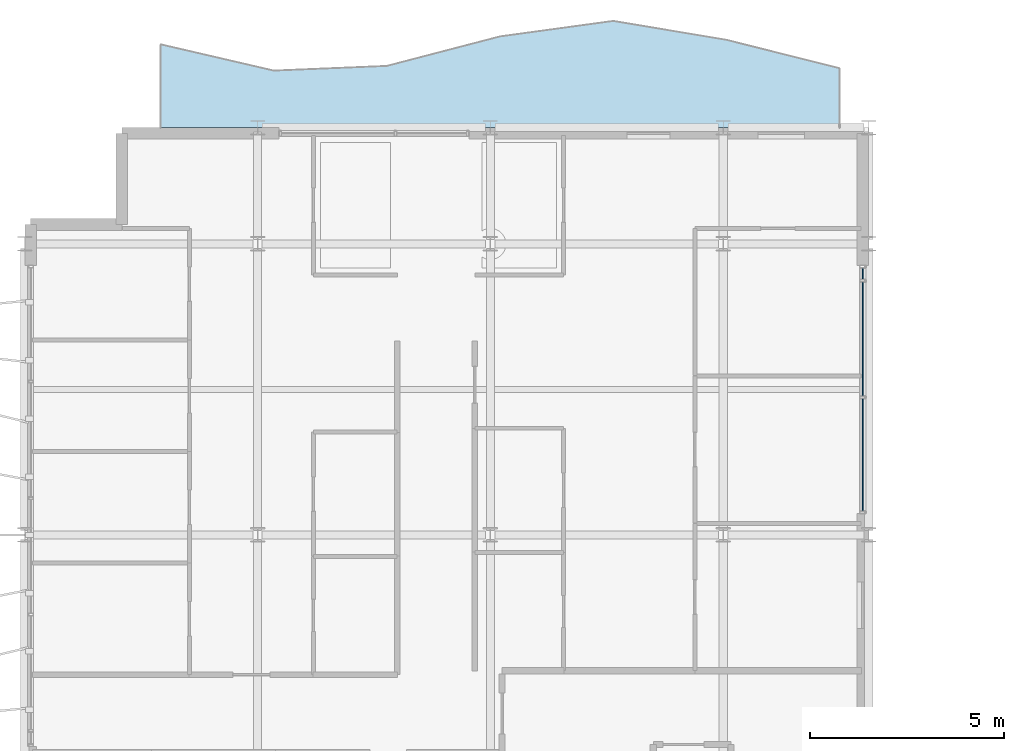
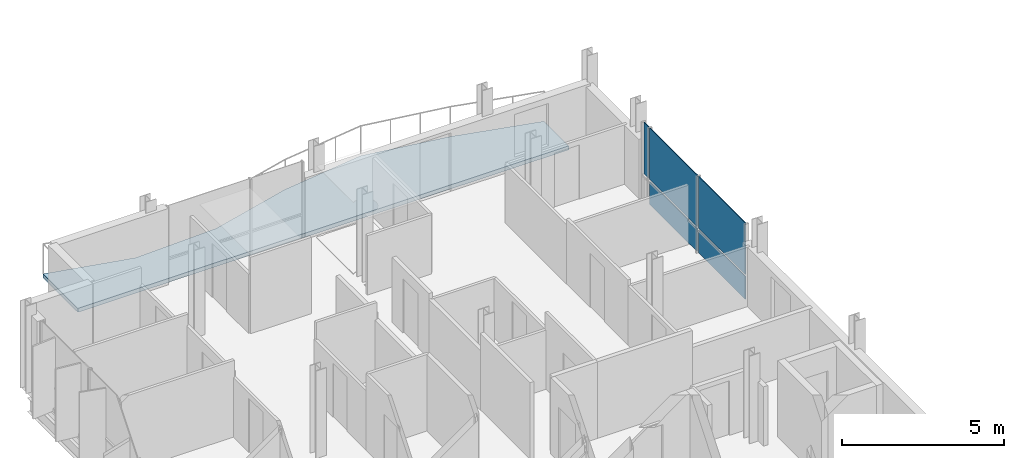
# One storey, part 17 of 30: 5 plates, 1 slab, 1 element without a shape of its own.
"""IFC4 building model written with IfcOpenShell, lengths in metres."""

from ifc_helpers import new_model, si_unit, direction, frame, origin, origin_2d, place, context, subcontext, project, spatial, polyline, rectangle, outline, extrude, material, layer, layer_set, type_object, element, aggregate, save


model = new_model("IFC4")

# Units and contexts
model_context = context("Model", 3, precision=1e-05, world=origin(), true_north=direction((0.0, 1.0)))
body_context = subcontext(model_context, "Body", "Model", "MODEL_VIEW")
ifc_project = project(units=[si_unit("LENGTHUNIT", "METRE"), si_unit("AREAUNIT", "SQUARE_METRE"), si_unit("VOLUMEUNIT", "CUBIC_METRE"), si_unit("PLANEANGLEUNIT", "RADIAN"), si_unit("MASSUNIT", "GRAM", prefix="KILO")], contexts=[model_context])

# Site, building, storey
site_placement = place(None, origin())
site = spatial("IfcSite", under=ifc_project, at=site_placement, CompositionType="ELEMENT")
building_placement = place(site_placement, origin())
building = spatial("IfcBuilding", under=site, at=building_placement, Name="Brevholm Reach", CompositionType="ELEMENT")
storey_placement = place(building_placement, frame((0.0, 0.0, 211.10009765625)))
storey = spatial("IfcBuildingStorey", under=building, at=storey_placement, Name="L64", CompositionType="ELEMENT", Elevation=211.10009765625)

# Curtain wall, plates
ifc_material_1 = material(Name="Dark Anodised Aluminium 6063-T6 and Solar-Control Glass", Category="aluminium")
ifc_layer_1 = layer(ifc_material_1, 0.1650390625)
ifc_layer_set_1 = layer_set([ifc_layer_1], Name="Dark Anodised Aluminium 6063-T6 and Solar-Control Glass")
curtain_wall_type = type_object("IfcCurtainWallType", Name="CW-04", PredefinedType="NOTDEFINED", material=ifc_layer_set_1)
curtain_wall_placement = place(storey_placement, origin())
curtain_wall = element("IfcCurtainWall", 1, at=curtain_wall_placement, inside=storey, type_object=curtain_wall_type, Name="L64 Curtain Wall CW-04", PredefinedType="NOTDEFINED")
ifc_material_2 = material(Name="Dark Solar-Control Double-Glazed IGU Glass", Category="glass")
ifc_layer_2 = layer(ifc_material_2, 0.028076171875)
ifc_layer_set_2 = layer_set([ifc_layer_2], Name="Dark Solar-Control Double-Glazed IGU Glass")
plate_type = type_object("IfcPlateType", Name="CWP-GLZ-28", PredefinedType="CURTAIN_PANEL", material=ifc_layer_set_2)
plate_1_placement = place(storey_placement, frame((21.60009765625, 18.0673828125, 0.0), z_axis=(0.0, 0.0, 1.0), x_axis=(0.0, 1.0, 0.0)))
plate_1 = element("IfcPlate", 2, at=plate_1_placement, type_object=plate_type, Name="CP-01 Glazing Panel 1.1", PredefinedType="CURTAIN_PANEL", context=body_context, shape_type="SweptSolid", body=[
    extrude(rectangle(XDim=2.89501953125, YDim=0.028076171875, at=origin_2d()), origin(), (0.0, 0.0, 1.0), 0.864990234375),
])
plate_2_placement = place(storey_placement, frame((21.60009765625, 18.0673828125, 0.93505859375), z_axis=(0.0, 0.0, 1.0), x_axis=(0.0, 1.0, 0.0)))
plate_2 = element("IfcPlate", 3, at=plate_2_placement, type_object=plate_type, Name="CP-01 Glazing Panel 1.2", PredefinedType="CURTAIN_PANEL", context=body_context, shape_type="SweptSolid", body=[
    extrude(rectangle(XDim=2.89501953125, YDim=0.028076171875, at=origin_2d()), origin(), (0.0, 0.0, 1.0), 1.945068359375),
])
plate_3_placement = place(storey_placement, frame((21.60009765625, 21.050048828125, 0.0), z_axis=(0.0, 0.0, 1.0), x_axis=(0.0, 1.0, 0.0)))
plate_3 = element("IfcPlate", 4, at=plate_3_placement, type_object=plate_type, Name="CP-01 Glazing Panel 2.1", PredefinedType="CURTAIN_PANEL", context=body_context, shape_type="SweptSolid", body=[
    extrude(rectangle(XDim=2.929931640625, YDim=0.028076171875, at=origin_2d()), origin(), (0.0, 0.0, 1.0), 0.864990234375),
])
plate_4_placement = place(storey_placement, frame((21.60009765625, 21.050048828125, 0.93505859375), z_axis=(0.0, 0.0, 1.0), x_axis=(0.0, 1.0, 0.0)))
plate_4 = element("IfcPlate", 5, at=plate_4_placement, type_object=plate_type, Name="CP-01 Glazing Panel 2.2", PredefinedType="CURTAIN_PANEL", context=body_context, shape_type="SweptSolid", body=[
    extrude(rectangle(XDim=2.929931640625, YDim=0.028076171875, at=origin_2d()), origin(), (0.0, 0.0, 1.0), 1.945068359375),
])
plate_5_placement = place(storey_placement, frame((21.60009765625, 22.732421875, 0.93505859375), z_axis=(0.0, 0.0, 1.0), x_axis=(0.0, 1.0, 0.0)))
plate_5 = element("IfcPlate", 6, at=plate_5_placement, type_object=plate_type, Name="CP-01 Glazing Panel 3.2", PredefinedType="CURTAIN_PANEL", context=body_context, shape_type="SweptSolid", body=[
    extrude(rectangle(XDim=0.294921875, YDim=0.028076171875, at=origin_2d()), origin(), (0.0, 0.0, 1.0), 1.945068359375),
])
aggregate(curtain_wall, [plate_1, plate_2, plate_3, plate_4, plate_5])

# Slab
ifc_material_3 = material(Name="Precast Concrete C45/55", Category="concrete")
ifc_layer_3 = layer(ifc_material_3, 0.14990234375)
ifc_layer_set_3 = layer_set([ifc_layer_3], Name="Precast Concrete C45/55")
slab_type = type_object("IfcSlabType", Name="SLB-BAL-150", PredefinedType="FLOOR", material=ifc_layer_set_3)
slab_placement = place(storey_placement, frame((0.0, 0.0, -0.150146484375)))
element("IfcSlab", 7, at=slab_placement, inside=storey, type_object=slab_type, Name="L64 Rippling External Balcony NW", PredefinedType="FLOOR", context=body_context, shape_type="SweptSolid", body=[
    extrude(outline(polyline([(3.5, 26.5), (21.0, 26.5), (21.0, 28.02880859375), (18.083251953125, 28.760986328125), (15.166748046875, 29.248291015625), (12.25, 28.849609375), (9.333251953125, 28.08935546875), (6.416748046875, 27.96826171875), (3.5, 28.6455078125), (3.5, 26.5)])), origin(), (0.0, 0.0, 1.0), 0.150146484375),
])

save(model, "model.ifc")
